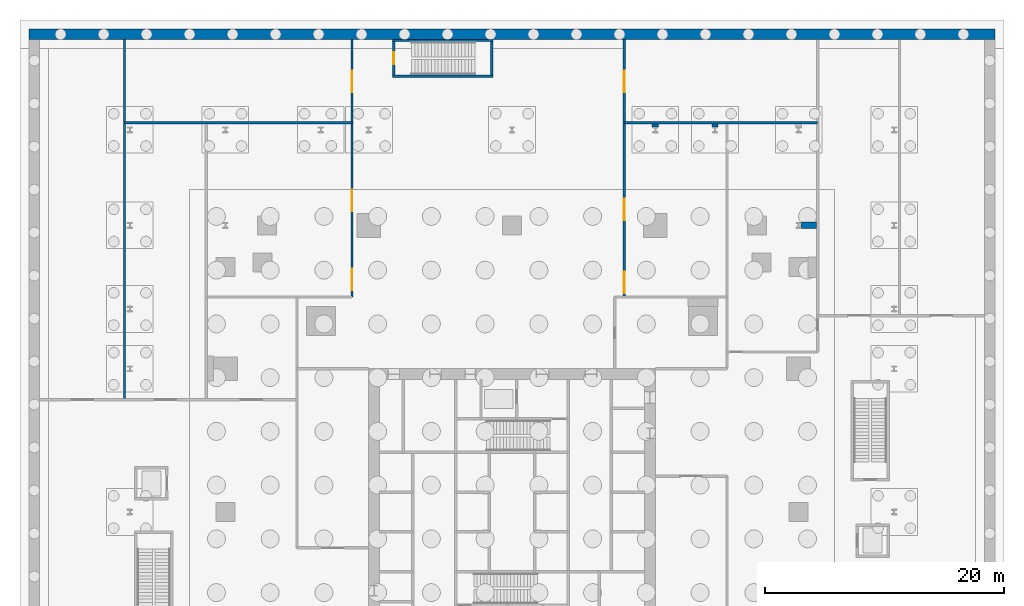
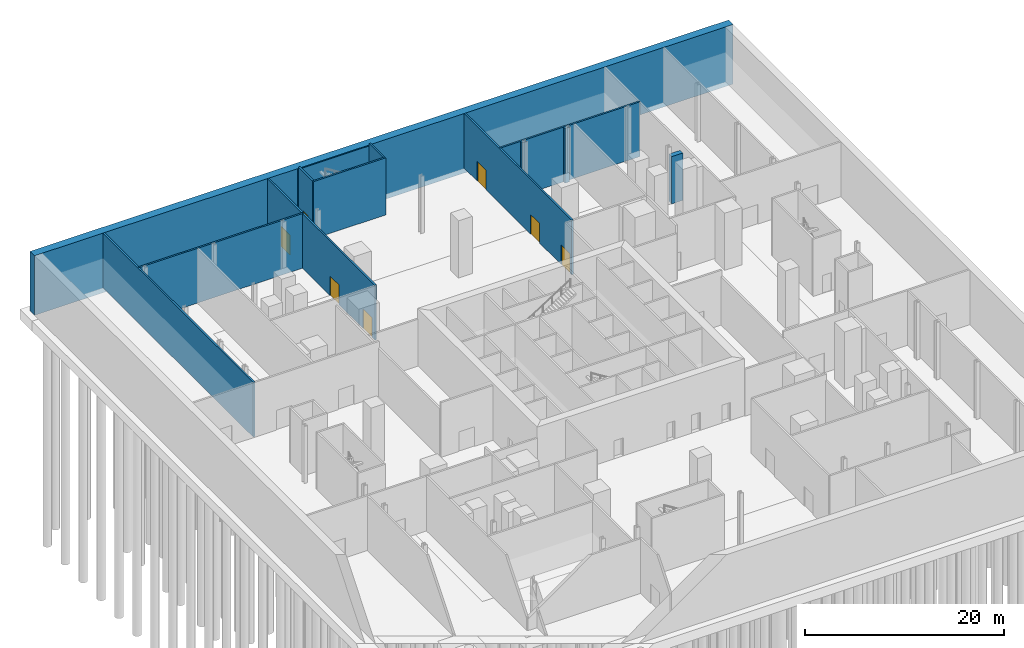
# One storey, part 11 of 15: 13 walls, 7 doors, 7 openings.
"""IFC4 building model written with IfcOpenShell, lengths in metres."""

from ifc_helpers import new_model, si_unit, direction, frame, frame_2d, origin, place, context, subcontext, project, spatial, rectangle, extrude, material, layer, layer_set, type_object, element, fill, save


model = new_model("IFC4")

# Units and contexts
model_context = context("Model", 3, precision=1e-05, world=origin(), true_north=direction((0.0, 1.0)))
body_context = subcontext(model_context, "Body", "Model", "MODEL_VIEW")
ifc_project = project(units=[si_unit("LENGTHUNIT", "METRE"), si_unit("AREAUNIT", "SQUARE_METRE"), si_unit("VOLUMEUNIT", "CUBIC_METRE"), si_unit("PLANEANGLEUNIT", "RADIAN"), si_unit("MASSUNIT", "GRAM", prefix="KILO")], contexts=[model_context])

# Site, building, storey
site_placement = place(None, origin())
site = spatial("IfcSite", under=ifc_project, at=site_placement, CompositionType="ELEMENT")
building_placement = place(site_placement, origin())
building = spatial("IfcBuilding", under=site, at=building_placement, Name="Fenwick Lantern Interchange", CompositionType="ELEMENT")
storey_placement = place(building_placement, frame((0.0, 0.0, -7.0)))
storey = spatial("IfcBuildingStorey", under=building, at=storey_placement, Name="B-1", CompositionType="ELEMENT", Elevation=-7.0)

# Walls
ifc_material_1 = material(Name="Concrete f'c 45 MPa", Category="concrete")
ifc_layer_1 = layer(ifc_material_1, 0.89990234375)
ifc_layer_set_1 = layer_set([ifc_layer_1], Name="BASEMENT RETAINING WALL 900")
wall_type_1 = type_object("IfcWallType", Name="BASEMENT RETAINING WALL 900", PredefinedType="SOLIDWALL", material=ifc_layer_set_1)
wall_1_placement = place(storey_placement, frame((65.449951171875, 65.0, -0.60009765625), z_axis=(0.0, 0.0, 1.0), x_axis=(-1.0, 0.0, 0.0)))
element("IfcWall", 1, at=wall_1_placement, inside=storey, type_object=wall_type_1, Name="B-1/RW/N", PredefinedType="SOLIDWALL", context=body_context, shape_type="SweptSolid", body=[
    extrude(rectangle(XDim=80.89990234375, YDim=0.89990234375, at=frame_2d((40.449951171875, 0.0))), origin(), (0.0, 0.0, 1.0), 7.300048828125),
])
ifc_material_2 = material(Name="Fire-rated gypsum board encasement on steel studs, 2 hour", Category="steel")
ifc_layer_2 = layer(ifc_material_2, 0.51708984375)
ifc_layer_set_2 = layer_set([ifc_layer_2], Name="COLUMN PIER 517")
wall_type_2 = type_object("IfcWallType", Name="COLUMN PIER 517", PredefinedType="PARTITIONING", material=ifc_layer_set_2)
for number, where, z_axis, x_axis, name in (
    (2, (37.0, 57.5, 0.0), (0.0, 0.0, 1.0), (0.0, -1.0, 0.0), "B-1/W/PIER/PK7"),
    (3, (42.0, 57.5, 0.0), (0.0, 0.0, 1.0), (0.0, -1.0, 0.0), "B-1/W/PIER/PK8"),
):
    element("IfcWall", number, at=place(storey_placement, frame(where, z_axis=z_axis, x_axis=x_axis)), inside=storey, type_object=wall_type_2, Name=name, PredefinedType="PARTITIONING", context=body_context, shape_type="SweptSolid", body=[
        extrude(rectangle(XDim=0.27783203125, YDim=0.51708984375, at=frame_2d((0.138916015625, 0.0))), origin(), (0.0, 0.0, 1.0), 6.699951171875),
    ])
ifc_layer_3 = layer(ifc_material_2, 0.544921875)
ifc_layer_set_3 = layer_set([ifc_layer_3], Name="COLUMN PIER 545")
wall_type_3 = type_object("IfcWallType", Name="COLUMN PIER 545", PredefinedType="PARTITIONING", material=ifc_layer_set_3)
wall_2_placement = place(storey_placement, frame((50.5, 49.0, 0.0), z_axis=(0.0, 0.0, 1.0), x_axis=(-1.0, 0.0, 0.0)))
element("IfcWall", 4, at=wall_2_placement, inside=storey, type_object=wall_type_3, Name="B-1/W/PIER/PJ9", PredefinedType="PARTITIONING", context=body_context, shape_type="SweptSolid", body=[
    extrude(rectangle(XDim=1.291748046875, YDim=0.544921875, at=frame_2d((0.64599609375, 0.0))), origin(), (0.0, 0.0, 1.0), 5.7880859375),
])
ifc_material_3 = material(Name="Gypsum board on steel studs, 1 hour", Category="steel")
ifc_layer_4 = layer(ifc_material_3, 0.199951171875)
ifc_layer_set_4 = layer_set([ifc_layer_4], Name="ROOM WALL 200")
wall_type_4 = type_object("IfcWallType", Name="ROOM WALL 200", PredefinedType="PARTITIONING", material=ifc_layer_set_4)
wall_3_placement = place(storey_placement, frame((-7.449951171875, 34.39990234375, 0.0), z_axis=(0.0, 0.0, 1.0), x_axis=(0.0, 1.0, 0.0)))
element("IfcWall", 5, at=wall_3_placement, inside=storey, type_object=wall_type_4, Name="B-1/W/POD/X-7.45-2", PredefinedType="PARTITIONING", context=body_context, shape_type="SweptSolid", body=[
    extrude(rectangle(XDim=30.150146484375, YDim=0.199951171875, at=frame_2d((15.0751953125, 0.0))), origin(), (0.0, 0.0, 1.0), 6.699951171875),
])

# Wall, openings, doors
wall_4_placement = place(storey_placement, frame((11.60009765625, 43.0, 0.0), z_axis=(0.0, 0.0, 1.0), x_axis=(0.0, 1.0, 0.0)))
wall_4 = element("IfcWall", 6, at=wall_4_placement, inside=storey, type_object=wall_type_4, Name="B-1/W/POD/X11.6-2", PredefinedType="PARTITIONING", context=body_context, shape_type="SweptSolid", body=[
    extrude(rectangle(XDim=21.550048828125, YDim=0.199951171875, at=frame_2d((10.77490234375, 0.0))), origin(), (0.0, 0.0, 1.0), 6.699951171875),
])
opening_1_placement = place(wall_4_placement, frame((7.175048828125, 0.0, 0.0)))
opening_1 = element("IfcOpeningElement", 7, at=opening_1_placement, cuts=wall_4, Name="Opening B-1-D044", PredefinedType="OPENING", context=body_context, shape_type="SweptSolid", body=[
    extrude(rectangle(XDim=1.800048828125, YDim=2.39990234375, at=frame_2d((0.89990234375, 1.199951171875))), frame((0.0, 0.10986328125, 0.0), z_axis=(0.0, -1.0, 0.0), x_axis=(1.0, 0.0, 0.0)), (0.0, 0.0, 1.0), 0.219970703125),
])
opening_2_placement = place(wall_4_placement, frame((0.550048828125, 0.0, 0.0)))
opening_2 = element("IfcOpeningElement", 8, at=opening_2_placement, cuts=wall_4, Name="Opening B-1-D045", PredefinedType="OPENING", context=body_context, shape_type="SweptSolid", body=[
    extrude(rectangle(XDim=1.800048828125, YDim=2.39990234375, at=frame_2d((0.89990234375, 1.199951171875))), frame((0.0, 0.10986328125, 0.0), z_axis=(0.0, -1.0, 0.0), x_axis=(1.0, 0.0, 0.0)), (0.0, 0.0, 1.0), 0.219970703125),
])
opening_3_placement = place(wall_4_placement, frame((17.14990234375, 0.0, 0.0)))
opening_3 = element("IfcOpeningElement", 9, at=opening_3_placement, cuts=wall_4, Name="Opening B-1-D046", PredefinedType="OPENING", context=body_context, shape_type="SweptSolid", body=[
    extrude(rectangle(XDim=1.800048828125, YDim=2.39990234375, at=frame_2d((0.89990234375, 1.199951171875))), frame((0.0, 0.10986328125, 0.0), z_axis=(0.0, -1.0, 0.0), x_axis=(1.0, 0.0, 0.0)), (0.0, 0.0, 1.0), 0.219970703125),
])
ifc_material_4 = material(Name="Steel door and frame", Category="steel")
door_type_1 = type_object("IfcDoorType", Name="ROOM DOOR PAIR 1800 X 2400", OperationType="DOUBLE_DOOR_SINGLE_SWING", PredefinedType="DOOR", material=ifc_material_4)
door_1_placement = place(opening_1_placement, frame((1.800048828125, 0.0, 0.0), z_axis=(0.0, 0.0, 1.0), x_axis=(-1.0, 0.0, 0.0)))
door_1 = element("IfcDoor", 10, at=door_1_placement, inside=storey, type_object=door_type_1, Name="Room door pair", OperationType="DOUBLE_DOOR_SINGLE_SWING", OverallHeight=2.39990234375, OverallWidth=1.800048828125, PredefinedType="DOOR", context=body_context, shape_type="SweptSolid", body=[
    extrude(rectangle(XDim=1.800048828125, YDim=2.39990234375, at=frame_2d((0.89990234375, 1.199951171875))), frame((0.0, 0.02490234375, 0.0), z_axis=(0.0, -1.0, 0.0), x_axis=(1.0, 0.0, 0.0)), (0.0, 0.0, 1.0), 0.050048828125),
])
fill(opening_1, door_1)
door_2_placement = place(opening_2_placement, frame((1.800048828125, 0.0, 0.0), z_axis=(0.0, 0.0, 1.0), x_axis=(-1.0, 0.0, 0.0)))
door_2 = element("IfcDoor", 11, at=door_2_placement, inside=storey, type_object=door_type_1, Name="Room door pair", OperationType="DOUBLE_DOOR_SINGLE_SWING", OverallHeight=2.39990234375, OverallWidth=1.800048828125, PredefinedType="DOOR", context=body_context, shape_type="SweptSolid", body=[
    extrude(rectangle(XDim=1.800048828125, YDim=2.39990234375, at=frame_2d((0.89990234375, 1.199951171875))), frame((0.0, 0.02490234375, 0.0), z_axis=(0.0, -1.0, 0.0), x_axis=(1.0, 0.0, 0.0)), (0.0, 0.0, 1.0), 0.050048828125),
])
fill(opening_2, door_2)
door_3_placement = place(opening_3_placement, frame((1.800048828125, 0.0, 0.0), z_axis=(0.0, 0.0, 1.0), x_axis=(-1.0, 0.0, 0.0)))
door_3 = element("IfcDoor", 12, at=door_3_placement, inside=storey, type_object=door_type_1, Name="Room door pair", OperationType="DOUBLE_DOOR_SINGLE_SWING", OverallHeight=2.39990234375, OverallWidth=1.800048828125, PredefinedType="DOOR", context=body_context, shape_type="SweptSolid", body=[
    extrude(rectangle(XDim=1.800048828125, YDim=2.39990234375, at=frame_2d((0.89990234375, 1.199951171875))), frame((0.0, 0.02490234375, 0.0), z_axis=(0.0, -1.0, 0.0), x_axis=(1.0, 0.0, 0.0)), (0.0, 0.0, 1.0), 0.050048828125),
])
fill(opening_3, door_3)

wall_5_placement = place(storey_placement, frame((34.39990234375, 43.0, 0.0), z_axis=(0.0, 0.0, 1.0), x_axis=(0.0, 1.0, 0.0)))
wall_5 = element("IfcWall", 13, at=wall_5_placement, inside=storey, type_object=wall_type_4, Name="B-1/W/POD/X34.4-2", PredefinedType="PARTITIONING", context=body_context, shape_type="SweptSolid", body=[
    extrude(rectangle(XDim=21.550048828125, YDim=0.199951171875, at=frame_2d((10.77490234375, 0.0))), origin(), (0.0, 0.0, 1.0), 6.699951171875),
])
opening_4_placement = place(wall_5_placement, frame((6.425048828125, 0.0, 0.0)))
opening_4 = element("IfcOpeningElement", 14, at=opening_4_placement, cuts=wall_5, Name="Opening B-1-D038", PredefinedType="OPENING", context=body_context, shape_type="SweptSolid", body=[
    extrude(rectangle(XDim=1.800048828125, YDim=2.39990234375, at=frame_2d((0.89990234375, 1.199951171875))), frame((0.0, 0.10986328125, 0.0), z_axis=(0.0, -1.0, 0.0), x_axis=(1.0, 0.0, 0.0)), (0.0, 0.0, 1.0), 0.219970703125),
])
opening_5_placement = place(wall_5_placement, frame((0.300048828125, 0.0, 0.0)))
opening_5 = element("IfcOpeningElement", 15, at=opening_5_placement, cuts=wall_5, Name="Opening B-1-D039", PredefinedType="OPENING", context=body_context, shape_type="SweptSolid", body=[
    extrude(rectangle(XDim=1.800048828125, YDim=2.39990234375, at=frame_2d((0.89990234375, 1.199951171875))), frame((0.0, 0.10986328125, 0.0), z_axis=(0.0, -1.0, 0.0), x_axis=(1.0, 0.0, 0.0)), (0.0, 0.0, 1.0), 0.219970703125),
])
opening_6_placement = place(wall_5_placement, frame((17.14990234375, 0.0, 0.0)))
opening_6 = element("IfcOpeningElement", 16, at=opening_6_placement, cuts=wall_5, Name="Opening B-1-D040", PredefinedType="OPENING", context=body_context, shape_type="SweptSolid", body=[
    extrude(rectangle(XDim=1.800048828125, YDim=2.39990234375, at=frame_2d((0.89990234375, 1.199951171875))), frame((0.0, 0.10986328125, 0.0), z_axis=(0.0, -1.0, 0.0), x_axis=(1.0, 0.0, 0.0)), (0.0, 0.0, 1.0), 0.219970703125),
])
door_4_placement = place(opening_4_placement, origin())
door_4 = element("IfcDoor", 17, at=door_4_placement, inside=storey, type_object=door_type_1, Name="Room door pair", OperationType="DOUBLE_DOOR_SINGLE_SWING", OverallHeight=2.39990234375, OverallWidth=1.800048828125, PredefinedType="DOOR", context=body_context, shape_type="SweptSolid", body=[
    extrude(rectangle(XDim=1.800048828125, YDim=2.39990234375, at=frame_2d((0.89990234375, 1.199951171875))), frame((0.0, 0.02490234375, 0.0), z_axis=(0.0, -1.0, 0.0), x_axis=(1.0, 0.0, 0.0)), (0.0, 0.0, 1.0), 0.050048828125),
])
fill(opening_4, door_4)
door_5_placement = place(opening_5_placement, origin())
door_5 = element("IfcDoor", 18, at=door_5_placement, inside=storey, type_object=door_type_1, Name="Room door pair", OperationType="DOUBLE_DOOR_SINGLE_SWING", OverallHeight=2.39990234375, OverallWidth=1.800048828125, PredefinedType="DOOR", context=body_context, shape_type="SweptSolid", body=[
    extrude(rectangle(XDim=1.800048828125, YDim=2.39990234375, at=frame_2d((0.89990234375, 1.199951171875))), frame((0.0, 0.02490234375, 0.0), z_axis=(0.0, -1.0, 0.0), x_axis=(1.0, 0.0, 0.0)), (0.0, 0.0, 1.0), 0.050048828125),
])
fill(opening_5, door_5)
door_6_placement = place(opening_6_placement, origin())
door_6 = element("IfcDoor", 19, at=door_6_placement, inside=storey, type_object=door_type_1, Name="Room door pair", OperationType="DOUBLE_DOOR_SINGLE_SWING", OverallHeight=2.39990234375, OverallWidth=1.800048828125, PredefinedType="DOOR", context=body_context, shape_type="SweptSolid", body=[
    extrude(rectangle(XDim=1.800048828125, YDim=2.39990234375, at=frame_2d((0.89990234375, 1.199951171875))), frame((0.0, 0.02490234375, 0.0), z_axis=(0.0, -1.0, 0.0), x_axis=(1.0, 0.0, 0.0)), (0.0, 0.0, 1.0), 0.050048828125),
])
fill(opening_6, door_6)

# Walls
wall_6_placement = place(storey_placement, frame((-7.449951171875, 57.60009765625, 0.0), z_axis=(0.0, 0.0, 1.0), x_axis=(1.0, 0.0, 0.0)))
element("IfcWall", 20, at=wall_6_placement, inside=storey, type_object=wall_type_4, Name="B-1/W/POD/Y57.6-1", PredefinedType="PARTITIONING", context=body_context, shape_type="SweptSolid", body=[
    extrude(rectangle(XDim=19.050048828125, YDim=0.199951171875, at=frame_2d((9.52490234375, 0.0))), origin(), (0.0, 0.0, 1.0), 6.699951171875),
])
wall_7_placement = place(storey_placement, frame((34.39990234375, 57.60009765625, 0.0), z_axis=(0.0, 0.0, 1.0), x_axis=(1.0, 0.0, 0.0)))
element("IfcWall", 21, at=wall_7_placement, inside=storey, type_object=wall_type_4, Name="B-1/W/POD/Y57.6-2", PredefinedType="PARTITIONING", context=body_context, shape_type="SweptSolid", body=[
    extrude(rectangle(XDim=16.2001953125, YDim=0.199951171875, at=frame_2d((8.10009765625, 0.0))), origin(), (0.0, 0.0, 1.0), 6.699951171875),
])
ifc_material_5 = material(Name="Reinforced concrete masonry ASTM C90 Grade N", Category="masonry")
ifc_layer_5 = layer(ifc_material_5, 0.199951171875)
ifc_layer_set_5 = layer_set([ifc_layer_5], Name="Reinforced concrete masonry ASTM C90 Grade N")
wall_type_5 = type_object("IfcWallType", Name="STAIR ENCLOSURE 200", PredefinedType="SOLIDWALL", material=ifc_layer_set_5)
wall_8_placement = place(storey_placement, frame((15.0, 61.5, 0.0), z_axis=(0.0, 0.0, 1.0), x_axis=(1.0, 0.0, 0.0)))
element("IfcWall", 22, at=wall_8_placement, inside=storey, type_object=wall_type_5, Name="B-1/W/PS1/S", PredefinedType="SOLIDWALL", context=body_context, shape_type="SweptSolid", body=[
    extrude(rectangle(XDim=8.39990234375, YDim=0.199951171875, at=frame_2d((4.199951171875, 0.0))), origin(), (0.0, 0.0, 1.0), 7.0),
])
wall_9_placement = place(storey_placement, frame((23.300048828125, 61.60009765625, 0.0), z_axis=(0.0, 0.0, 1.0), x_axis=(0.0, 1.0, 0.0)))
element("IfcWall", 23, at=wall_9_placement, inside=storey, type_object=wall_type_5, Name="B-1/W/PS1/E", PredefinedType="SOLIDWALL", context=body_context, shape_type="SweptSolid", body=[
    extrude(rectangle(XDim=2.7998046875, YDim=0.199951171875, at=frame_2d((1.39990234375, 0.0))), origin(), (0.0, 0.0, 1.0), 7.0),
])

# Wall, opening, door
wall_10_placement = place(storey_placement, frame((15.10009765625, 64.39990234375, 0.0), z_axis=(0.0, 0.0, 1.0), x_axis=(0.0, -1.0, 0.0)))
wall_10 = element("IfcWall", 24, at=wall_10_placement, inside=storey, type_object=wall_type_5, Name="B-1/W/PS1/W", PredefinedType="SOLIDWALL", context=body_context, shape_type="SweptSolid", body=[
    extrude(rectangle(XDim=2.7998046875, YDim=0.199951171875, at=frame_2d((1.39990234375, 0.0))), origin(), (0.0, 0.0, 1.0), 7.0),
])
opening_7_placement = place(wall_10_placement, frame((0.89990234375, 0.0, 0.0)))
opening_7 = element("IfcOpeningElement", 25, at=opening_7_placement, cuts=wall_10, Name="Opening B-1-D017", PredefinedType="OPENING", context=body_context, shape_type="SweptSolid", body=[
    extrude(rectangle(XDim=1.0, YDim=2.199951171875, at=frame_2d((0.5, 1.10009765625))), frame((0.0, 0.10986328125, 0.0), z_axis=(0.0, -1.0, 0.0), x_axis=(1.0, 0.0, 0.0)), (0.0, 0.0, 1.0), 0.219970703125),
])
door_type_2 = type_object("IfcDoorType", Name="STAIR DOOR 1000 X 2200", OperationType="SINGLE_SWING_LEFT", PredefinedType="DOOR", material=ifc_material_4)
door_7_placement = place(opening_7_placement, origin())
door_7 = element("IfcDoor", 26, at=door_7_placement, inside=storey, type_object=door_type_2, Name="Stair door", OperationType="SINGLE_SWING_LEFT", OverallHeight=2.199951171875, OverallWidth=1.0, PredefinedType="DOOR", context=body_context, shape_type="SweptSolid", body=[
    extrude(rectangle(XDim=1.0, YDim=2.199951171875, at=frame_2d((0.5, 1.10009765625))), frame((0.0, 0.02490234375, 0.0), z_axis=(0.0, -1.0, 0.0), x_axis=(1.0, 0.0, 0.0)), (0.0, 0.0, 1.0), 0.050048828125),
])
fill(opening_7, door_7)

# Wall
ifc_layer_6 = layer(ifc_material_5, 0.14990234375)
ifc_layer_set_6 = layer_set([ifc_layer_6], Name="Reinforced concrete masonry ASTM C90 Grade N")
wall_type_6 = type_object("IfcWallType", Name="STAIR LINING WALL 150", PredefinedType="SOLIDWALL", material=ifc_layer_set_6)
wall_11_placement = place(storey_placement, frame((23.39990234375, 64.47509765625, 0.0), z_axis=(0.0, 0.0, 1.0), x_axis=(-1.0, 0.0, 0.0)))
element("IfcWall", 27, at=wall_11_placement, inside=storey, type_object=wall_type_6, Name="B-1/W/PS1/N", PredefinedType="SOLIDWALL", context=body_context, shape_type="SweptSolid", body=[
    extrude(rectangle(XDim=8.39990234375, YDim=0.14990234375, at=frame_2d((4.199951171875, 0.0))), origin(), (0.0, 0.0, 1.0), 6.699951171875),
])

save(model, "model.ifc")
